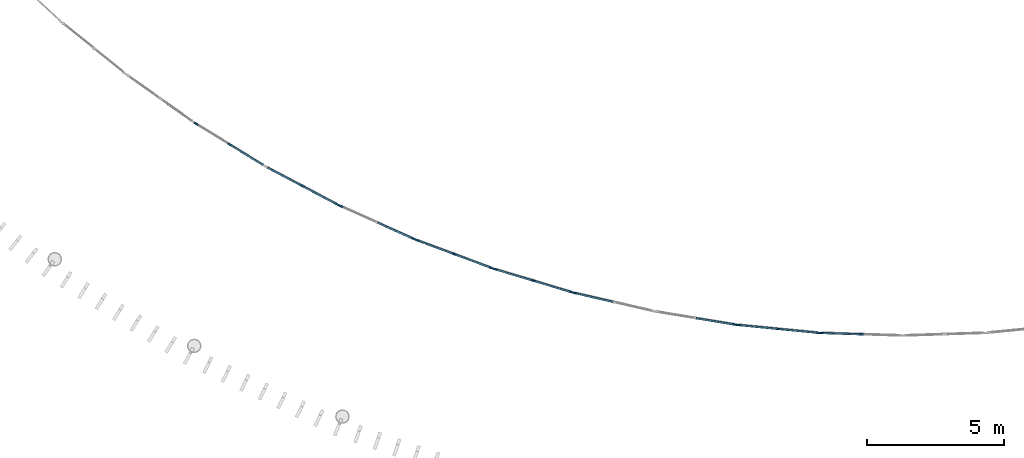
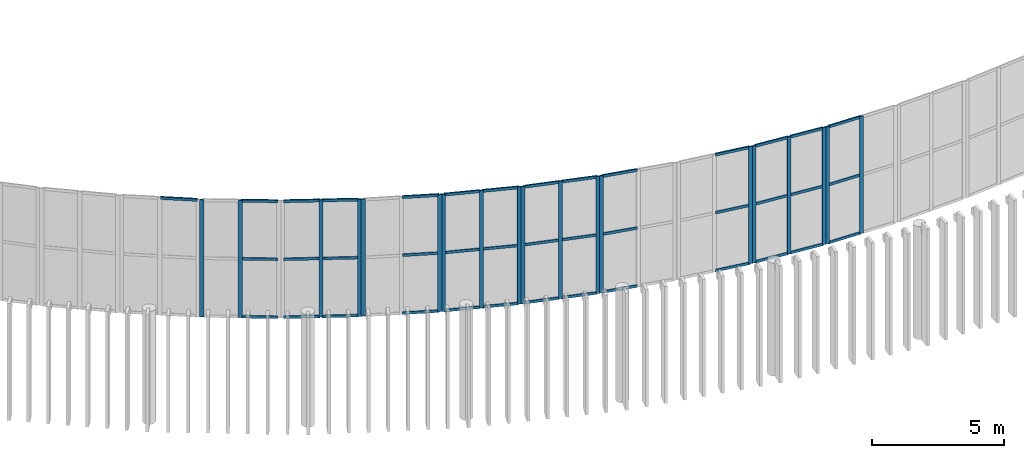
# One storey, part 35 of 170: 59 members, 10 elements without a shape of their own.
"""IFC4 building model written with IfcOpenShell, lengths in metres."""

import ifcopenshell
import ifcopenshell.guid

model = None  # the IFC model being written
_history = None  # IfcOwnerHistory: only IFC2X3 demands one
_inside = {}  # id of a spatial element -> (the spatial element, [elements in it])
_under = {}  # id of a project, library or spatial element -> (it, [spatial elements below it])
_declared = {}  # id of a project -> (the project, [libraries it declares])
_typed = {}  # id of a type object -> (the type object, [elements of that type])
_made_of = {}  # id of a material, layer set ... -> (it, [elements and type objects made of it])


def new_model(schema):
    """Start an empty IFC model of exactly this schema.

    Asked for "IFC4X3", IfcOpenShell would pick the latest addendum, in which some entities
    have other attributes; the version numbers below select the first issue.
    IFC2X3 requires an IfcOwnerHistory on every rooted entity: one is made here for all.
    """
    global model, _history
    if schema == "IFC4X3":
        model = ifcopenshell.file(schema_version=(4, 3, 0, 0))
    else:
        model = ifcopenshell.file(schema=schema)
    _inside.clear()
    _under.clear()
    _declared.clear()
    _typed.clear()
    _made_of.clear()
    _history = None
    if model.schema == "IFC2X3":
        org = make("IfcOrganization", Name="unknown")
        user = make(
            "IfcPersonAndOrganization",
            ThePerson=make("IfcPerson", FamilyName="unknown"),
            TheOrganization=org,
        )
        app = make(
            "IfcApplication",
            ApplicationDeveloper=org,
            Version="unknown",
            ApplicationFullName="unknown",
            ApplicationIdentifier="unknown",
        )
        _history = make(
            "IfcOwnerHistory",
            OwningUser=user,
            OwningApplication=app,
            ChangeAction="ADDED",
            CreationDate=0,
        )
    return model


def make(cls, **values):
    """One entity of the class cls with the attributes given. An attribute that is None is left unset."""
    return model.create_entity(
        cls, **{name: value for name, value in values.items() if value is not None}
    )


def rooted(cls, **values):
    """An entity with a GlobalId (a new one), such as an element, a storey or a relation."""
    return make(cls, GlobalId=ifcopenshell.guid.new(), OwnerHistory=_history, **values)


def si_unit(unit_type, name, prefix=None):
    """IfcSIUnit, for example si_unit("LENGTHUNIT", "METRE", prefix="MILLI")."""
    return make("IfcSIUnit", UnitType=unit_type, Prefix=prefix, Name=name)


def assignment(units):
    """IfcUnitAssignment: the units of a project."""
    return None if units is None else make("IfcUnitAssignment", Units=units)


def point(xyz):
    """IfcCartesianPoint."""
    return None if xyz is None else make("IfcCartesianPoint", Coordinates=xyz)


def direction(xyz):
    """IfcDirection."""
    return None if xyz is None else make("IfcDirection", DirectionRatios=xyz)


def frame(location, z_axis=None, x_axis=None):
    """IfcAxis2Placement3D, a coordinate frame: its origin and axes. An axis left out is left unset."""
    return make(
        "IfcAxis2Placement3D",
        Location=point(location),
        Axis=direction(z_axis),
        RefDirection=direction(x_axis),
    )


def frame_2d(location, x_axis=None):
    """IfcAxis2Placement2D, a coordinate frame in the plane: its origin and x axis."""
    return make(
        "IfcAxis2Placement2D", Location=point(location), RefDirection=direction(x_axis)
    )


def origin():
    """The frame at (0, 0, 0) with its axes left unset."""
    return frame((0.0, 0.0, 0.0))


def origin_2d():
    """The frame at (0, 0) in the plane with its x axis left unset."""
    return frame_2d((0.0, 0.0))


def place(relative_to, where):
    """IfcLocalPlacement: puts the frame where relative to a parent placement (None: the world)."""
    return make(
        "IfcLocalPlacement", PlacementRelTo=relative_to, RelativePlacement=where
    )


def context(
    kind, dimensions, precision=None, world=None, true_north=None, identifier=None
):
    """IfcGeometricRepresentationContext, for example the 3D "Model" context."""
    return make(
        "IfcGeometricRepresentationContext",
        ContextIdentifier=identifier,
        ContextType=kind,
        CoordinateSpaceDimension=dimensions,
        Precision=precision,
        WorldCoordinateSystem=world,
        TrueNorth=true_north,
    )


def subcontext(parent, identifier, kind, view, scale=None):
    """IfcGeometricRepresentationSubContext, for example "Body" below "Model"."""
    return make(
        "IfcGeometricRepresentationSubContext",
        ContextIdentifier=identifier,
        ContextType=kind,
        ParentContext=parent,
        TargetScale=scale,
        TargetView=view,
    )


def project(units=None, contexts=None):
    """IfcProject with its units and contexts."""
    return rooted(
        "IfcProject",
        Name="project",
        RepresentationContexts=contexts,
        UnitsInContext=assignment(units),
    )


def spatial(cls, under=None, at=None, **own):
    """A site, building, storey or space (cls), placed at a placement, below another one or the project."""
    s = rooted(cls, ObjectPlacement=at, **own)
    if under is not None:
        _under.setdefault(under.id(), (under, []))[1].append(s)
    return s


def profile(cls, at=None, kind="AREA", **sizes):
    """A parametric profile (cls). Its sizes go by their IFC names, for example OverallWidth=200.0."""
    return make(cls, ProfileType=kind, Position=at, **sizes)


def rectangle(**sizes):
    """IfcRectangleProfileDef."""
    return profile("IfcRectangleProfileDef", **sizes)


def extrude(swept, where, along, depth):
    """IfcExtrudedAreaSolid: the profile swept, set in the frame where, extruded along a direction by depth."""
    return make(
        "IfcExtrudedAreaSolid",
        SweptArea=swept,
        Position=where,
        ExtrudedDirection=direction(along),
        Depth=depth,
    )


def shape(context_of_items, identifier, shape_type, items):
    """IfcShapeRepresentation: the items that make up one representation, for example the "Body"."""
    return make(
        "IfcShapeRepresentation",
        ContextOfItems=context_of_items,
        RepresentationIdentifier=identifier,
        RepresentationType=shape_type,
        Items=items,
    )


def material(Name=None, Category=None):
    """IfcMaterial."""
    return make("IfcMaterial", Name=Name, Category=Category)


def layer(
    of_material, thickness, ventilated=None, Name=None, Category=None, Priority=None
):
    """IfcMaterialLayer: one layer of a wall or slab, of a material (None: an air gap)."""
    return make(
        "IfcMaterialLayer",
        Material=of_material,
        LayerThickness=thickness,
        IsVentilated=ventilated,
        Name=Name,
        Category=Category,
        Priority=Priority,
    )


def layer_set(layers, Name=None):
    """IfcMaterialLayerSet."""
    return make("IfcMaterialLayerSet", MaterialLayers=layers, LayerSetName=Name)


def material_profile(
    of_material, cross_section, Name=None, Category=None, Priority=None
):
    """IfcMaterialProfile: a cross section and its material."""
    return make(
        "IfcMaterialProfile",
        Name=Name,
        Material=of_material,
        Profile=cross_section,
        Priority=Priority,
        Category=Category,
    )


def profile_set(profiles, Name=None, composite=None):
    """IfcMaterialProfileSet."""
    return make(
        "IfcMaterialProfileSet",
        Name=Name,
        MaterialProfiles=profiles,
        CompositeProfile=composite,
    )


def made_of(thing, what):
    """Note that an element or type object is made of a material, layer set ...; save() writes the relation."""
    if what is not None:
        _made_of.setdefault(what.id(), (what, []))[1].append(thing)
    return thing


def type_object(cls, material=None, **own):
    """A type object (cls), such as IfcWallType, which elements share."""
    return made_of(rooted(cls, **own), material)


def element(
    cls,
    number,
    at=None,
    inside=None,
    cuts=None,
    type_object=None,
    material=None,
    context=None,
    identifier="Body",
    shape_type=None,
    held_by="IfcProductDefinitionShape",
    body=None,
    shapes=None,
    **own,
):
    """One element of the class cls, such as IfcWall. Its Tag is "e" and its number.

    at: its placement. inside: the storey or other place that contains it. cuts: it is an
    opening in that element (IfcRelVoidsElement). A single representation is given by context,
    identifier, shape_type and body (its items); several are given by shapes. held_by: the class
    of the entity that holds the representations. save() writes the other relations.
    """
    e = rooted(cls, Tag="e%d" % number, ObjectPlacement=at, **own)
    if body is not None:
        shapes = [shape(context, identifier, shape_type, body)]
    if shapes is not None:
        e.Representation = make(held_by, Representations=shapes)
    if inside is not None:
        _inside.setdefault(inside.id(), (inside, []))[1].append(e)
    if cuts is not None:
        rooted(
            "IfcRelVoidsElement", RelatingBuildingElement=cuts, RelatedOpeningElement=e
        )
    if type_object is not None:
        _typed.setdefault(type_object.id(), (type_object, []))[1].append(e)
    return made_of(e, material)


def aggregate(whole, parts):
    """IfcRelAggregates: a whole, such as a stair, and the parts it consists of."""
    return rooted("IfcRelAggregates", RelatingObject=whole, RelatedObjects=parts)


def save(model, path):
    """Write the relations noted so far, then the file.

    IfcRelAggregates (storeys below a building ...), IfcRelContainedInSpatialStructure (elements
    in a storey), IfcRelDefinesByType, IfcRelAssociatesMaterial and IfcRelDeclares: one each for
    every whole, place, type object, material and project.
    """
    for whole, parts in _under.values():
        aggregate(whole, parts)
    for where, things in _inside.values():
        rooted(
            "IfcRelContainedInSpatialStructure",
            RelatedElements=things,
            RelatingStructure=where,
        )
    for kind, things in _typed.values():
        rooted("IfcRelDefinesByType", RelatedObjects=things, RelatingType=kind)
    for what, things in _made_of.values():
        rooted("IfcRelAssociatesMaterial", RelatedObjects=things, RelatingMaterial=what)
    for by, libraries in _declared.values():
        rooted("IfcRelDeclares", RelatingContext=by, RelatedDefinitions=libraries)
    model.write(path)


model = new_model("IFC4")

# Units and contexts
model_context = context("Model", 3, precision=1e-05, world=origin(), true_north=direction((0.0, 1.0)))
body_context = subcontext(model_context, "Body", "Model", "MODEL_VIEW")
ifc_project = project(units=[si_unit("LENGTHUNIT", "METRE"), si_unit("AREAUNIT", "SQUARE_METRE"), si_unit("VOLUMEUNIT", "CUBIC_METRE"), si_unit("PLANEANGLEUNIT", "RADIAN"), si_unit("MASSUNIT", "GRAM", prefix="KILO")], contexts=[model_context])

# Site, building, storey
site_placement = place(None, origin())
site = spatial("IfcSite", under=ifc_project, at=site_placement, CompositionType="ELEMENT")
building_placement = place(site_placement, origin())
building = spatial("IfcBuilding", under=site, at=building_placement, Name="Ravi Spectrum Wholesale Market", CompositionType="ELEMENT")
storey_placement = place(building_placement, frame((0.0, 0.0, 5.39990234375)))
storey = spatial("IfcBuildingStorey", under=building, at=storey_placement, Name="L01", CompositionType="ELEMENT", Elevation=5.39990234375)

# Curtain wall, members
ifc_material_1 = material(Name="Aluminium 6063-T6", Category="aluminium")
ifc_layer = layer(ifc_material_1, 0.14990234375)
ifc_layer_set = layer_set([ifc_layer], Name="Aluminium 6063-T6")
curtain_wall_type = type_object("IfcCurtainWallType", Name="Curtain wall 150", PredefinedType="NOTDEFINED", material=ifc_layer_set)
curtain_wall_1_placement = place(storey_placement, origin())
curtain_wall_1 = element("IfcCurtainWall", 1, at=curtain_wall_1_placement, inside=storey, type_object=curtain_wall_type, Name="H1-CW-L01-032", PredefinedType="NOTDEFINED")
ifc_material_2 = material(Name="Aluminium 6063-T6", Category="aluminium")
ifc_material_profile_1 = material_profile(ifc_material_2, rectangle(XDim=0.06005859375, YDim=0.159912109375, at=origin_2d()))
ifc_profile_set_1 = profile_set([ifc_material_profile_1], Name="Aluminium 6063-T6")
member_type_1 = type_object("IfcMemberType", Name="Mullion 60 x 160", PredefinedType="MULLION", material=ifc_profile_set_1)
member_1_placement = place(storey_placement, frame((44.15380859375, 27.024169921875, 0.0), z_axis=(0.0, 0.0, 1.0), x_axis=(0.523840503785, 0.851816369057, 0.0)))
member_1 = element("IfcMember", 2, at=member_1_placement, type_object=member_type_1, Name="H1-CW-L01-032 mullion 1", PredefinedType="MULLION", context=body_context, shape_type="SweptSolid", body=[
    extrude(rectangle(XDim=0.06005859375, YDim=0.159912109375, at=origin_2d()), origin(), (0.0, 0.0, 1.0), 5.400146484375),
])
member_2_placement = place(storey_placement, frame((45.392333984375, 26.262451171875, 0.0), z_axis=(0.0, 0.0, 1.0), x_axis=(0.523840503785, 0.851816369057, 0.0)))
member_2 = element("IfcMember", 3, at=member_2_placement, type_object=member_type_1, Name="H1-CW-L01-032 mullion 2", PredefinedType="MULLION", context=body_context, shape_type="SweptSolid", body=[
    extrude(rectangle(XDim=0.06005859375, YDim=0.159912109375, at=origin_2d()), origin(), (0.0, 0.0, 1.0), 5.400146484375),
])

curtain_wall_2_placement = place(storey_placement, origin())
curtain_wall_2 = element("IfcCurtainWall", 4, at=curtain_wall_2_placement, inside=storey, type_object=curtain_wall_type, Name="H1-CW-L01-033", PredefinedType="NOTDEFINED")
member_3_placement = place(storey_placement, frame((48.037841796875, 24.75146484375, 0.0), z_axis=(0.0, 0.0, 1.0), x_axis=(0.467524450919, 0.883980139931, 0.0)))
member_3 = element("IfcMember", 5, at=member_3_placement, type_object=member_type_1, Name="H1-CW-L01-033 mullion 2", PredefinedType="MULLION", context=body_context, shape_type="SweptSolid", body=[
    extrude(rectangle(XDim=0.06005859375, YDim=0.159912109375, at=origin_2d()), origin(), (0.0, 0.0, 1.0), 5.400146484375),
])
member_4_placement = place(storey_placement, frame((49.3232421875, 24.07177734375, 0.0), z_axis=(0.0, 0.0, 1.0), x_axis=(0.467524450919, 0.883980139931, 0.0)))
member_4 = element("IfcMember", 6, at=member_4_placement, type_object=member_type_1, Name="H1-CW-L01-033 mullion 3", PredefinedType="MULLION", context=body_context, shape_type="SweptSolid", body=[
    extrude(rectangle(XDim=0.06005859375, YDim=0.159912109375, at=origin_2d()), origin(), (0.0, 0.0, 1.0), 5.400146484375),
])

curtain_wall_3_placement = place(storey_placement, origin())
curtain_wall_3 = element("IfcCurtainWall", 7, at=curtain_wall_3_placement, inside=storey, type_object=curtain_wall_type, Name="H1-CW-L01-034", PredefinedType="NOTDEFINED")
member_5_placement = place(storey_placement, frame((49.448974609375, 24.01025390625, 0.0), z_axis=(0.0, 0.0, 1.0), x_axis=(0.409241987534, 0.912425885012, 0.0)))
member_5 = element("IfcMember", 8, at=member_5_placement, type_object=member_type_1, Name="H1-CW-L01-034 mullion 1", PredefinedType="MULLION", context=body_context, shape_type="SweptSolid", body=[
    extrude(rectangle(XDim=0.06005859375, YDim=0.159912109375, at=origin_2d()), origin(), (0.0, 0.0, 1.0), 5.400146484375),
])
member_6_placement = place(storey_placement, frame((52.1025390625, 22.820068359375, 0.0), z_axis=(0.0, 0.0, 1.0), x_axis=(0.409241987534, 0.912425885012, 0.0)))
member_6 = element("IfcMember", 9, at=member_6_placement, type_object=member_type_1, Name="H1-CW-L01-034 mullion 3", PredefinedType="MULLION", context=body_context, shape_type="SweptSolid", body=[
    extrude(rectangle(XDim=0.06005859375, YDim=0.159912109375, at=origin_2d()), origin(), (0.0, 0.0, 1.0), 5.400146484375),
])

curtain_wall_4_placement = place(storey_placement, origin())
curtain_wall_4 = element("IfcCurtainWall", 10, at=curtain_wall_4_placement, inside=storey, type_object=curtain_wall_type, Name="H1-CW-L01-035", PredefinedType="NOTDEFINED")
member_7_placement = place(storey_placement, frame((52.23193359375, 22.76708984375, 0.0), z_axis=(0.0, 0.0, 1.0), x_axis=(0.349238249734, 0.937033961456, 0.0)))
member_7 = element("IfcMember", 11, at=member_7_placement, type_object=member_type_1, Name="H1-CW-L01-035 mullion 1", PredefinedType="MULLION", context=body_context, shape_type="SweptSolid", body=[
    extrude(rectangle(XDim=0.06005859375, YDim=0.159912109375, at=origin_2d()), origin(), (0.0, 0.0, 1.0), 5.400146484375),
])
member_8_placement = place(storey_placement, frame((53.594482421875, 22.25927734375, 0.0), z_axis=(0.0, 0.0, 1.0), x_axis=(0.349238249734, 0.937033961456, 0.0)))
member_8 = element("IfcMember", 12, at=member_8_placement, type_object=member_type_1, Name="H1-CW-L01-035 mullion 2", PredefinedType="MULLION", context=body_context, shape_type="SweptSolid", body=[
    extrude(rectangle(XDim=0.06005859375, YDim=0.159912109375, at=origin_2d()), origin(), (0.0, 0.0, 1.0), 5.400146484375),
])
member_9_placement = place(storey_placement, frame((54.95703125, 21.75146484375, 0.0), z_axis=(0.0, 0.0, 1.0), x_axis=(0.349238249734, 0.937033961456, 0.0)))
member_9 = element("IfcMember", 13, at=member_9_placement, type_object=member_type_1, Name="H1-CW-L01-035 mullion 3", PredefinedType="MULLION", context=body_context, shape_type="SweptSolid", body=[
    extrude(rectangle(XDim=0.06005859375, YDim=0.159912109375, at=origin_2d()), origin(), (0.0, 0.0, 1.0), 5.400146484375),
])

curtain_wall_5_placement = place(storey_placement, origin())
curtain_wall_5 = element("IfcCurtainWall", 14, at=curtain_wall_5_placement, inside=storey, type_object=curtain_wall_type, Name="H1-CW-L01-036", PredefinedType="NOTDEFINED")
member_10_placement = place(storey_placement, frame((55.089599609375, 21.706787109375, 0.0), z_axis=(0.0, 0.0, 1.0), x_axis=(0.287765613735, 0.957700867469, 0.0)))
member_10 = element("IfcMember", 15, at=member_10_placement, type_object=member_type_1, Name="H1-CW-L01-036 mullion 1", PredefinedType="MULLION", context=body_context, shape_type="SweptSolid", body=[
    extrude(rectangle(XDim=0.06005859375, YDim=0.159912109375, at=origin_2d()), origin(), (0.0, 0.0, 1.0), 5.400146484375),
])
member_11_placement = place(storey_placement, frame((56.482177734375, 21.288330078125, 0.0), z_axis=(0.0, 0.0, 1.0), x_axis=(0.287765613735, 0.957700867469, 0.0)))
member_11 = element("IfcMember", 16, at=member_11_placement, type_object=member_type_1, Name="H1-CW-L01-036 mullion 2", PredefinedType="MULLION", context=body_context, shape_type="SweptSolid", body=[
    extrude(rectangle(XDim=0.06005859375, YDim=0.159912109375, at=origin_2d()), origin(), (0.0, 0.0, 1.0), 5.400146484375),
])
member_12_placement = place(storey_placement, frame((57.874755859375, 20.8701171875, 0.0), z_axis=(0.0, 0.0, 1.0), x_axis=(0.287765613735, 0.957700867469, 0.0)))
member_12 = element("IfcMember", 17, at=member_12_placement, type_object=member_type_1, Name="H1-CW-L01-036 mullion 3", PredefinedType="MULLION", context=body_context, shape_type="SweptSolid", body=[
    extrude(rectangle(XDim=0.06005859375, YDim=0.159912109375, at=origin_2d()), origin(), (0.0, 0.0, 1.0), 5.400146484375),
])

# Curtain wall, member
curtain_wall_6_placement = place(storey_placement, origin())
curtain_wall_6 = element("IfcCurtainWall", 18, at=curtain_wall_6_placement, inside=storey, type_object=curtain_wall_type, Name="H1-CW-L01-037", PredefinedType="NOTDEFINED")
member_13_placement = place(storey_placement, frame((58.010009765625, 20.834228515625, 0.0), z_axis=(0.0, 0.0, 1.0), x_axis=(0.225082633827, 0.97433967791, 0.0)))
member_13 = element("IfcMember", 19, at=member_13_placement, type_object=member_type_1, Name="H1-CW-L01-037 mullion 1", PredefinedType="MULLION", context=body_context, shape_type="SweptSolid", body=[
    extrude(rectangle(XDim=0.06005859375, YDim=0.159912109375, at=origin_2d()), origin(), (0.0, 0.0, 1.0), 5.400146484375),
])

curtain_wall_7_placement = place(storey_placement, origin())
curtain_wall_7 = element("IfcCurtainWall", 20, at=curtain_wall_7_placement, inside=storey, type_object=curtain_wall_type, Name="H1-CW-L01-038", PredefinedType="NOTDEFINED")
member_14_placement = place(storey_placement, frame((63.8505859375, 19.682861328125, 0.0), z_axis=(0.0, 0.0, 1.0), x_axis=(0.161452954652, 0.986880409895, 0.0)))
member_14 = element("IfcMember", 21, at=member_14_placement, type_object=member_type_1, Name="H1-CW-L01-038 mullion 3", PredefinedType="MULLION", context=body_context, shape_type="SweptSolid", body=[
    extrude(rectangle(XDim=0.06005859375, YDim=0.159912109375, at=origin_2d()), origin(), (0.0, 0.0, 1.0), 5.400146484375),
])

# Curtain wall, members
curtain_wall_8_placement = place(storey_placement, origin())
curtain_wall_8 = element("IfcCurtainWall", 22, at=curtain_wall_8_placement, inside=storey, type_object=curtain_wall_type, Name="H1-CW-L01-039", PredefinedType="NOTDEFINED")
member_15_placement = place(storey_placement, frame((63.989501953125, 19.664794921875, 0.0), z_axis=(0.0, 0.0, 1.0), x_axis=(0.097144203758, 0.995270316887, 0.0)))
member_15 = element("IfcMember", 23, at=member_15_placement, type_object=member_type_1, Name="H1-CW-L01-039 mullion 1", PredefinedType="MULLION", context=body_context, shape_type="SweptSolid", body=[
    extrude(rectangle(XDim=0.06005859375, YDim=0.159912109375, at=origin_2d()), origin(), (0.0, 0.0, 1.0), 5.400146484375),
])
member_16_placement = place(storey_placement, frame((65.4365234375, 19.523681640625, 0.0), z_axis=(0.0, 0.0, 1.0), x_axis=(0.097144203758, 0.995270316887, 0.0)))
member_16 = element("IfcMember", 24, at=member_16_placement, type_object=member_type_1, Name="H1-CW-L01-039 mullion 2", PredefinedType="MULLION", context=body_context, shape_type="SweptSolid", body=[
    extrude(rectangle(XDim=0.06005859375, YDim=0.159912109375, at=origin_2d()), origin(), (0.0, 0.0, 1.0), 5.400146484375),
])
member_17_placement = place(storey_placement, frame((66.8837890625, 19.38232421875, 0.0), z_axis=(0.0, 0.0, 1.0), x_axis=(0.097144203758, 0.995270316887, 0.0)))
member_17 = element("IfcMember", 25, at=member_17_placement, type_object=member_type_1, Name="H1-CW-L01-039 mullion 3", PredefinedType="MULLION", context=body_context, shape_type="SweptSolid", body=[
    extrude(rectangle(XDim=0.06005859375, YDim=0.159912109375, at=origin_2d()), origin(), (0.0, 0.0, 1.0), 5.400146484375),
])

curtain_wall_9_placement = place(storey_placement, origin())
curtain_wall_9 = element("IfcCurtainWall", 26, at=curtain_wall_9_placement, inside=storey, type_object=curtain_wall_type, Name="H1-CW-L01-040", PredefinedType="NOTDEFINED")
member_18_placement = place(storey_placement, frame((67.0234375, 19.373291015625, 0.0), z_axis=(0.0, 0.0, 1.0), x_axis=(0.032426863955, 0.999474110967, 0.0)))
member_18 = element("IfcMember", 27, at=member_18_placement, type_object=member_type_1, Name="H1-CW-L01-040 mullion 1", PredefinedType="MULLION", context=body_context, shape_type="SweptSolid", body=[
    extrude(rectangle(XDim=0.06005859375, YDim=0.159912109375, at=origin_2d()), origin(), (0.0, 0.0, 1.0), 5.400146484375),
])
member_19_placement = place(storey_placement, frame((68.476806640625, 19.326171875, 0.0), z_axis=(0.0, 0.0, 1.0), x_axis=(0.032426863955, 0.999474110967, 0.0)))
member_19 = element("IfcMember", 28, at=member_19_placement, type_object=member_type_1, Name="H1-CW-L01-040 mullion 2", PredefinedType="MULLION", context=body_context, shape_type="SweptSolid", body=[
    extrude(rectangle(XDim=0.06005859375, YDim=0.159912109375, at=origin_2d()), origin(), (0.0, 0.0, 1.0), 5.400146484375),
])

# Curtain wall, member
curtain_wall_10_placement = place(storey_placement, origin())
curtain_wall_10 = element("IfcCurtainWall", 29, at=curtain_wall_10_placement, inside=storey, type_object=curtain_wall_type, Name="H1-CW-L01-031", PredefinedType="NOTDEFINED")
ifc_material_3 = material(Name="Aluminium 6063-T6", Category="aluminium")
ifc_material_profile_2 = material_profile(ifc_material_3, rectangle(XDim=0.06005859375, YDim=0.1201171875, at=origin_2d()))
ifc_profile_set_2 = profile_set([ifc_material_profile_2], Name="Aluminium 6063-T6")
member_type_2 = type_object("IfcMemberType", Name="Transom 60 x 120", PredefinedType="USERDEFINED", material=ifc_profile_set_2)
member_20_placement = place(storey_placement, frame((42.875, 27.92431640625, 5.3701171875), z_axis=(0.816093311487, -0.577920156203, 0.0), x_axis=(0.577920156203, 0.816093311487, 0.0)))
member_20 = element("IfcMember", 30, at=member_20_placement, type_object=member_type_2, Name="H1-CW-L01-031 transom 2.3", ObjectType="TRANSOM", PredefinedType="USERDEFINED", context=body_context, shape_type="SweptSolid", body=[
    extrude(rectangle(XDim=0.06005859375, YDim=0.1201171875, at=origin_2d()), origin(), (0.0, 0.0, 1.0), 1.39404296875),
])
aggregate(curtain_wall_10, [member_20])

# Member
member_21_placement = place(storey_placement, frame((45.41796875, 26.24658203125, 0.030029296875), z_axis=(0.851832648, -0.523814031696, 0.0), x_axis=(0.523814031696, 0.851832648, 0.0)))
member_21 = element("IfcMember", 31, at=member_21_placement, type_object=member_type_2, Name="H1-CW-L01-032 transom 2.1", ObjectType="TRANSOM", PredefinedType="USERDEFINED", context=body_context, shape_type="SweptSolid", body=[
    extrude(rectangle(XDim=0.06005859375, YDim=0.1201171875, at=origin_2d()), origin(), (0.0, 0.0, 1.0), 1.39404296875),
])

member_22_placement = place(storey_placement, frame((45.41796875, 26.24658203125, 2.7001953125), z_axis=(0.851832648, -0.523814031696, 0.0), x_axis=(0.523814031696, 0.851832648, 0.0)))
member_22 = element("IfcMember", 32, at=member_22_placement, type_object=member_type_2, Name="H1-CW-L01-032 transom 2.2", ObjectType="TRANSOM", PredefinedType="USERDEFINED", context=body_context, shape_type="SweptSolid", body=[
    extrude(rectangle(XDim=0.06005859375, YDim=0.1201171875, at=origin_2d()), origin(), (0.0, 0.0, 1.0), 1.39404296875),
])

member_23_placement = place(storey_placement, frame((45.41796875, 26.24658203125, 5.3701171875), z_axis=(0.851832648, -0.523814031696, 0.0), x_axis=(0.523814031696, 0.851832648, 0.0)))
member_23 = element("IfcMember", 33, at=member_23_placement, type_object=member_type_2, Name="H1-CW-L01-032 transom 2.3", ObjectType="TRANSOM", PredefinedType="USERDEFINED", context=body_context, shape_type="SweptSolid", body=[
    extrude(rectangle(XDim=0.06005859375, YDim=0.1201171875, at=origin_2d()), origin(), (0.0, 0.0, 1.0), 1.39404296875),
])

aggregate(curtain_wall_1, [member_1, member_2, member_21, member_22, member_23])

member_24_placement = place(storey_placement, frame((46.779052734375, 25.417236328125, 0.030029296875), z_axis=(0.884039119192, -0.467412917813, 0.0), x_axis=(0.467412917813, 0.884039119192, 0.0)))
member_24 = element("IfcMember", 34, at=member_24_placement, type_object=member_type_2, Name="H1-CW-L01-033 transom 1.1", ObjectType="TRANSOM", PredefinedType="USERDEFINED", context=body_context, shape_type="SweptSolid", body=[
    extrude(rectangle(XDim=0.06005859375, YDim=0.1201171875, at=origin_2d()), origin(), (0.0, 0.0, 1.0), 1.39404296875),
])

member_25_placement = place(storey_placement, frame((46.779052734375, 25.417236328125, 2.7001953125), z_axis=(0.884039119192, -0.467412917813, 0.0), x_axis=(0.467412917813, 0.884039119192, 0.0)))
member_25 = element("IfcMember", 35, at=member_25_placement, type_object=member_type_2, Name="H1-CW-L01-033 transom 1.2", ObjectType="TRANSOM", PredefinedType="USERDEFINED", context=body_context, shape_type="SweptSolid", body=[
    extrude(rectangle(XDim=0.06005859375, YDim=0.1201171875, at=origin_2d()), origin(), (0.0, 0.0, 1.0), 1.39404296875),
])

member_26_placement = place(storey_placement, frame((46.779052734375, 25.417236328125, 5.3701171875), z_axis=(0.884039119192, -0.467412917813, 0.0), x_axis=(0.467412917813, 0.884039119192, 0.0)))
member_26 = element("IfcMember", 36, at=member_26_placement, type_object=member_type_2, Name="H1-CW-L01-033 transom 1.3", ObjectType="TRANSOM", PredefinedType="USERDEFINED", context=body_context, shape_type="SweptSolid", body=[
    extrude(rectangle(XDim=0.06005859375, YDim=0.1201171875, at=origin_2d()), origin(), (0.0, 0.0, 1.0), 1.39404296875),
])

member_27_placement = place(storey_placement, frame((48.064453125, 24.737548828125, 0.030029296875), z_axis=(0.883928461308, -0.467622150127, 0.0), x_axis=(0.467622150127, 0.883928461308, 0.0)))
member_27 = element("IfcMember", 37, at=member_27_placement, type_object=member_type_2, Name="H1-CW-L01-033 transom 2.1", ObjectType="TRANSOM", PredefinedType="USERDEFINED", context=body_context, shape_type="SweptSolid", body=[
    extrude(rectangle(XDim=0.06005859375, YDim=0.1201171875, at=origin_2d()), origin(), (0.0, 0.0, 1.0), 1.39404296875),
])

member_28_placement = place(storey_placement, frame((48.064453125, 24.737548828125, 2.7001953125), z_axis=(0.883928461308, -0.467622150127, 0.0), x_axis=(0.467622150127, 0.883928461308, 0.0)))
member_28 = element("IfcMember", 38, at=member_28_placement, type_object=member_type_2, Name="H1-CW-L01-033 transom 2.2", ObjectType="TRANSOM", PredefinedType="USERDEFINED", context=body_context, shape_type="SweptSolid", body=[
    extrude(rectangle(XDim=0.06005859375, YDim=0.1201171875, at=origin_2d()), origin(), (0.0, 0.0, 1.0), 1.39404296875),
])

member_29_placement = place(storey_placement, frame((48.064453125, 24.737548828125, 5.3701171875), z_axis=(0.883928461308, -0.467622150127, 0.0), x_axis=(0.467622150127, 0.883928461308, 0.0)))
member_29 = element("IfcMember", 39, at=member_29_placement, type_object=member_type_2, Name="H1-CW-L01-033 transom 2.3", ObjectType="TRANSOM", PredefinedType="USERDEFINED", context=body_context, shape_type="SweptSolid", body=[
    extrude(rectangle(XDim=0.06005859375, YDim=0.1201171875, at=origin_2d()), origin(), (0.0, 0.0, 1.0), 1.39404296875),
])

aggregate(curtain_wall_2, [member_3, member_4, member_24, member_25, member_26, member_27, member_28, member_29])

member_30_placement = place(storey_placement, frame((50.80322265625, 23.403076171875, 0.030029296875), z_axis=(0.912412372098, -0.409272113933, 0.0), x_axis=(0.409272113933, 0.912412372098, 0.0)))
member_30 = element("IfcMember", 40, at=member_30_placement, type_object=member_type_2, Name="H1-CW-L01-034 transom 2.1", ObjectType="TRANSOM", PredefinedType="USERDEFINED", context=body_context, shape_type="SweptSolid", body=[
    extrude(rectangle(XDim=0.06005859375, YDim=0.1201171875, at=origin_2d()), origin(), (0.0, 0.0, 1.0), 1.39404296875),
])

member_31_placement = place(storey_placement, frame((50.80322265625, 23.403076171875, 2.7001953125), z_axis=(0.912412372098, -0.409272113933, 0.0), x_axis=(0.409272113933, 0.912412372098, 0.0)))
member_31 = element("IfcMember", 41, at=member_31_placement, type_object=member_type_2, Name="H1-CW-L01-034 transom 2.2", ObjectType="TRANSOM", PredefinedType="USERDEFINED", context=body_context, shape_type="SweptSolid", body=[
    extrude(rectangle(XDim=0.06005859375, YDim=0.1201171875, at=origin_2d()), origin(), (0.0, 0.0, 1.0), 1.39404296875),
])

member_32_placement = place(storey_placement, frame((50.80322265625, 23.403076171875, 5.3701171875), z_axis=(0.912412372098, -0.409272113933, 0.0), x_axis=(0.409272113933, 0.912412372098, 0.0)))
member_32 = element("IfcMember", 42, at=member_32_placement, type_object=member_type_2, Name="H1-CW-L01-034 transom 2.3", ObjectType="TRANSOM", PredefinedType="USERDEFINED", context=body_context, shape_type="SweptSolid", body=[
    extrude(rectangle(XDim=0.06005859375, YDim=0.1201171875, at=origin_2d()), origin(), (0.0, 0.0, 1.0), 1.39404296875),
])

aggregate(curtain_wall_3, [member_5, member_6, member_30, member_31, member_32])

member_33_placement = place(storey_placement, frame((52.260009765625, 22.756591796875, 0.030029296875), z_axis=(0.937054029141, -0.349184401814, 0.0), x_axis=(0.349184401814, 0.937054029141, 0.0)))
member_33 = element("IfcMember", 43, at=member_33_placement, type_object=member_type_2, Name="H1-CW-L01-035 transom 1.1", ObjectType="TRANSOM", PredefinedType="USERDEFINED", context=body_context, shape_type="SweptSolid", body=[
    extrude(rectangle(XDim=0.06005859375, YDim=0.1201171875, at=origin_2d()), origin(), (0.0, 0.0, 1.0), 1.39404296875),
])

member_34_placement = place(storey_placement, frame((52.260009765625, 22.756591796875, 2.7001953125), z_axis=(0.937054029141, -0.349184401814, 0.0), x_axis=(0.349184401814, 0.937054029141, 0.0)))
member_34 = element("IfcMember", 44, at=member_34_placement, type_object=member_type_2, Name="H1-CW-L01-035 transom 1.2", ObjectType="TRANSOM", PredefinedType="USERDEFINED", context=body_context, shape_type="SweptSolid", body=[
    extrude(rectangle(XDim=0.06005859375, YDim=0.1201171875, at=origin_2d()), origin(), (0.0, 0.0, 1.0), 1.39404296875),
])

member_35_placement = place(storey_placement, frame((52.260009765625, 22.756591796875, 5.3701171875), z_axis=(0.937054029141, -0.349184401814, 0.0), x_axis=(0.349184401814, 0.937054029141, 0.0)))
member_35 = element("IfcMember", 45, at=member_35_placement, type_object=member_type_2, Name="H1-CW-L01-035 transom 1.3", ObjectType="TRANSOM", PredefinedType="USERDEFINED", context=body_context, shape_type="SweptSolid", body=[
    extrude(rectangle(XDim=0.06005859375, YDim=0.1201171875, at=origin_2d()), origin(), (0.0, 0.0, 1.0), 1.39404296875),
])

member_36_placement = place(storey_placement, frame((53.62255859375, 22.248779296875, 0.030029296875), z_axis=(0.937032671846, -0.349241709843, 0.0), x_axis=(0.349241709843, 0.937032671846, 0.0)))
member_36 = element("IfcMember", 46, at=member_36_placement, type_object=member_type_2, Name="H1-CW-L01-035 transom 2.1", ObjectType="TRANSOM", PredefinedType="USERDEFINED", context=body_context, shape_type="SweptSolid", body=[
    extrude(rectangle(XDim=0.06005859375, YDim=0.1201171875, at=origin_2d()), origin(), (0.0, 0.0, 1.0), 1.39404296875),
])

member_37_placement = place(storey_placement, frame((53.62255859375, 22.248779296875, 2.7001953125), z_axis=(0.937032671846, -0.349241709843, 0.0), x_axis=(0.349241709843, 0.937032671846, 0.0)))
member_37 = element("IfcMember", 47, at=member_37_placement, type_object=member_type_2, Name="H1-CW-L01-035 transom 2.2", ObjectType="TRANSOM", PredefinedType="USERDEFINED", context=body_context, shape_type="SweptSolid", body=[
    extrude(rectangle(XDim=0.06005859375, YDim=0.1201171875, at=origin_2d()), origin(), (0.0, 0.0, 1.0), 1.39404296875),
])

member_38_placement = place(storey_placement, frame((53.62255859375, 22.248779296875, 5.3701171875), z_axis=(0.937032671846, -0.349241709843, 0.0), x_axis=(0.349241709843, 0.937032671846, 0.0)))
member_38 = element("IfcMember", 48, at=member_38_placement, type_object=member_type_2, Name="H1-CW-L01-035 transom 2.3", ObjectType="TRANSOM", PredefinedType="USERDEFINED", context=body_context, shape_type="SweptSolid", body=[
    extrude(rectangle(XDim=0.06005859375, YDim=0.1201171875, at=origin_2d()), origin(), (0.0, 0.0, 1.0), 1.39404296875),
])

aggregate(curtain_wall_4, [member_7, member_8, member_9, member_33, member_34, member_35, member_36, member_37, member_38])

member_39_placement = place(storey_placement, frame((55.118408203125, 21.6982421875, 0.030029296875), z_axis=(0.957700859942, -0.287765638787, 0.0), x_axis=(0.287765638787, 0.957700859942, 0.0)))
member_39 = element("IfcMember", 49, at=member_39_placement, type_object=member_type_2, Name="H1-CW-L01-036 transom 1.1", ObjectType="TRANSOM", PredefinedType="USERDEFINED", context=body_context, shape_type="SweptSolid", body=[
    extrude(rectangle(XDim=0.06005859375, YDim=0.1201171875, at=origin_2d()), origin(), (0.0, 0.0, 1.0), 1.39404296875),
])

member_40_placement = place(storey_placement, frame((55.118408203125, 21.6982421875, 2.7001953125), z_axis=(0.957700859942, -0.287765638787, 0.0), x_axis=(0.287765638787, 0.957700859942, 0.0)))
member_40 = element("IfcMember", 50, at=member_40_placement, type_object=member_type_2, Name="H1-CW-L01-036 transom 1.2", ObjectType="TRANSOM", PredefinedType="USERDEFINED", context=body_context, shape_type="SweptSolid", body=[
    extrude(rectangle(XDim=0.06005859375, YDim=0.1201171875, at=origin_2d()), origin(), (0.0, 0.0, 1.0), 1.39404296875),
])

member_41_placement = place(storey_placement, frame((55.118408203125, 21.6982421875, 5.3701171875), z_axis=(0.957700859942, -0.287765638787, 0.0), x_axis=(0.287765638787, 0.957700859942, 0.0)))
member_41 = element("IfcMember", 51, at=member_41_placement, type_object=member_type_2, Name="H1-CW-L01-036 transom 1.3", ObjectType="TRANSOM", PredefinedType="USERDEFINED", context=body_context, shape_type="SweptSolid", body=[
    extrude(rectangle(XDim=0.06005859375, YDim=0.1201171875, at=origin_2d()), origin(), (0.0, 0.0, 1.0), 1.39404296875),
])

member_42_placement = place(storey_placement, frame((56.5107421875, 21.27978515625, 0.030029296875), z_axis=(0.957715360008, -0.287717377307, 0.0), x_axis=(0.287717377307, 0.957715360008, 0.0)))
member_42 = element("IfcMember", 52, at=member_42_placement, type_object=member_type_2, Name="H1-CW-L01-036 transom 2.1", ObjectType="TRANSOM", PredefinedType="USERDEFINED", context=body_context, shape_type="SweptSolid", body=[
    extrude(rectangle(XDim=0.06005859375, YDim=0.1201171875, at=origin_2d()), origin(), (0.0, 0.0, 1.0), 1.39404296875),
])

member_43_placement = place(storey_placement, frame((56.5107421875, 21.27978515625, 2.7001953125), z_axis=(0.957715360008, -0.287717377307, 0.0), x_axis=(0.287717377307, 0.957715360008, 0.0)))
member_43 = element("IfcMember", 53, at=member_43_placement, type_object=member_type_2, Name="H1-CW-L01-036 transom 2.2", ObjectType="TRANSOM", PredefinedType="USERDEFINED", context=body_context, shape_type="SweptSolid", body=[
    extrude(rectangle(XDim=0.06005859375, YDim=0.1201171875, at=origin_2d()), origin(), (0.0, 0.0, 1.0), 1.39404296875),
])

member_44_placement = place(storey_placement, frame((56.5107421875, 21.27978515625, 5.3701171875), z_axis=(0.957715360008, -0.287717377307, 0.0), x_axis=(0.287717377307, 0.957715360008, 0.0)))
member_44 = element("IfcMember", 54, at=member_44_placement, type_object=member_type_2, Name="H1-CW-L01-036 transom 2.3", ObjectType="TRANSOM", PredefinedType="USERDEFINED", context=body_context, shape_type="SweptSolid", body=[
    extrude(rectangle(XDim=0.06005859375, YDim=0.1201171875, at=origin_2d()), origin(), (0.0, 0.0, 1.0), 1.39404296875),
])

aggregate(curtain_wall_5, [member_10, member_11, member_12, member_39, member_40, member_41, member_42, member_43, member_44])

member_45_placement = place(storey_placement, frame((58.0390625, 20.827392578125, 0.030029296875), z_axis=(0.974352813106, -0.225025766506, 0.0), x_axis=(0.225025766506, 0.974352813106, 0.0)))
member_45 = element("IfcMember", 55, at=member_45_placement, type_object=member_type_2, Name="H1-CW-L01-037 transom 1.1", ObjectType="TRANSOM", PredefinedType="USERDEFINED", context=body_context, shape_type="SweptSolid", body=[
    extrude(rectangle(XDim=0.06005859375, YDim=0.1201171875, at=origin_2d()), origin(), (0.0, 0.0, 1.0), 1.39404296875),
])

member_46_placement = place(storey_placement, frame((58.0390625, 20.827392578125, 2.7001953125), z_axis=(0.974352813106, -0.225025766506, 0.0), x_axis=(0.225025766506, 0.974352813106, 0.0)))
member_46 = element("IfcMember", 56, at=member_46_placement, type_object=member_type_2, Name="H1-CW-L01-037 transom 1.2", ObjectType="TRANSOM", PredefinedType="USERDEFINED", context=body_context, shape_type="SweptSolid", body=[
    extrude(rectangle(XDim=0.06005859375, YDim=0.1201171875, at=origin_2d()), origin(), (0.0, 0.0, 1.0), 1.39404296875),
])

member_47_placement = place(storey_placement, frame((58.0390625, 20.827392578125, 5.3701171875), z_axis=(0.974352813106, -0.225025766506, 0.0), x_axis=(0.225025766506, 0.974352813106, 0.0)))
member_47 = element("IfcMember", 57, at=member_47_placement, type_object=member_type_2, Name="H1-CW-L01-037 transom 1.3", ObjectType="TRANSOM", PredefinedType="USERDEFINED", context=body_context, shape_type="SweptSolid", body=[
    extrude(rectangle(XDim=0.06005859375, YDim=0.1201171875, at=origin_2d()), origin(), (0.0, 0.0, 1.0), 1.39404296875),
])

aggregate(curtain_wall_6, [member_13, member_45, member_46, member_47])

member_48_placement = place(storey_placement, frame((62.4453125, 19.912841796875, 0.030029296875), z_axis=(0.986877120125, -0.161473062068, 0.0), x_axis=(0.161473062068, 0.986877120125, 0.0)))
member_48 = element("IfcMember", 58, at=member_48_placement, type_object=member_type_2, Name="H1-CW-L01-038 transom 2.1", ObjectType="TRANSOM", PredefinedType="USERDEFINED", context=body_context, shape_type="SweptSolid", body=[
    extrude(rectangle(XDim=0.06005859375, YDim=0.1201171875, at=origin_2d()), origin(), (0.0, 0.0, 1.0), 1.39404296875),
])

member_49_placement = place(storey_placement, frame((62.4453125, 19.912841796875, 2.7001953125), z_axis=(0.986877120125, -0.161473062068, 0.0), x_axis=(0.161473062068, 0.986877120125, 0.0)))
member_49 = element("IfcMember", 59, at=member_49_placement, type_object=member_type_2, Name="H1-CW-L01-038 transom 2.2", ObjectType="TRANSOM", PredefinedType="USERDEFINED", context=body_context, shape_type="SweptSolid", body=[
    extrude(rectangle(XDim=0.06005859375, YDim=0.1201171875, at=origin_2d()), origin(), (0.0, 0.0, 1.0), 1.39404296875),
])

member_50_placement = place(storey_placement, frame((62.4453125, 19.912841796875, 5.3701171875), z_axis=(0.986877120125, -0.161473062068, 0.0), x_axis=(0.161473062068, 0.986877120125, 0.0)))
member_50 = element("IfcMember", 60, at=member_50_placement, type_object=member_type_2, Name="H1-CW-L01-038 transom 2.3", ObjectType="TRANSOM", PredefinedType="USERDEFINED", context=body_context, shape_type="SweptSolid", body=[
    extrude(rectangle(XDim=0.06005859375, YDim=0.1201171875, at=origin_2d()), origin(), (0.0, 0.0, 1.0), 1.39404296875),
])

aggregate(curtain_wall_7, [member_14, member_48, member_49, member_50])

member_51_placement = place(storey_placement, frame((64.019287109375, 19.661865234375, 0.030029296875), z_axis=(0.995282061531, -0.097023801177, 0.0), x_axis=(0.097023801177, 0.995282061531, 0.0)))
member_51 = element("IfcMember", 61, at=member_51_placement, type_object=member_type_2, Name="H1-CW-L01-039 transom 1.1", ObjectType="TRANSOM", PredefinedType="USERDEFINED", context=body_context, shape_type="SweptSolid", body=[
    extrude(rectangle(XDim=0.06005859375, YDim=0.1201171875, at=origin_2d()), origin(), (0.0, 0.0, 1.0), 1.39404296875),
])

member_52_placement = place(storey_placement, frame((64.019287109375, 19.661865234375, 2.7001953125), z_axis=(0.995282061531, -0.097023801177, 0.0), x_axis=(0.097023801177, 0.995282061531, 0.0)))
member_52 = element("IfcMember", 62, at=member_52_placement, type_object=member_type_2, Name="H1-CW-L01-039 transom 1.2", ObjectType="TRANSOM", PredefinedType="USERDEFINED", context=body_context, shape_type="SweptSolid", body=[
    extrude(rectangle(XDim=0.06005859375, YDim=0.1201171875, at=origin_2d()), origin(), (0.0, 0.0, 1.0), 1.39404296875),
])

member_53_placement = place(storey_placement, frame((64.019287109375, 19.661865234375, 5.3701171875), z_axis=(0.995282061531, -0.097023801177, 0.0), x_axis=(0.097023801177, 0.995282061531, 0.0)))
member_53 = element("IfcMember", 63, at=member_53_placement, type_object=member_type_2, Name="H1-CW-L01-039 transom 1.3", ObjectType="TRANSOM", PredefinedType="USERDEFINED", context=body_context, shape_type="SweptSolid", body=[
    extrude(rectangle(XDim=0.06005859375, YDim=0.1201171875, at=origin_2d()), origin(), (0.0, 0.0, 1.0), 1.39404296875),
])

member_54_placement = place(storey_placement, frame((65.466552734375, 19.520751953125, 0.030029296875), z_axis=(0.995265134777, -0.09719728133, 0.0), x_axis=(0.09719728133, 0.995265134777, 0.0)))
member_54 = element("IfcMember", 64, at=member_54_placement, type_object=member_type_2, Name="H1-CW-L01-039 transom 2.1", ObjectType="TRANSOM", PredefinedType="USERDEFINED", context=body_context, shape_type="SweptSolid", body=[
    extrude(rectangle(XDim=0.06005859375, YDim=0.1201171875, at=origin_2d()), origin(), (0.0, 0.0, 1.0), 1.39404296875),
])

member_55_placement = place(storey_placement, frame((65.466552734375, 19.520751953125, 2.7001953125), z_axis=(0.995265134777, -0.09719728133, 0.0), x_axis=(0.09719728133, 0.995265134777, 0.0)))
member_55 = element("IfcMember", 65, at=member_55_placement, type_object=member_type_2, Name="H1-CW-L01-039 transom 2.2", ObjectType="TRANSOM", PredefinedType="USERDEFINED", context=body_context, shape_type="SweptSolid", body=[
    extrude(rectangle(XDim=0.06005859375, YDim=0.1201171875, at=origin_2d()), origin(), (0.0, 0.0, 1.0), 1.39404296875),
])

member_56_placement = place(storey_placement, frame((65.466552734375, 19.520751953125, 5.3701171875), z_axis=(0.995265134777, -0.09719728133, 0.0), x_axis=(0.09719728133, 0.995265134777, 0.0)))
member_56 = element("IfcMember", 66, at=member_56_placement, type_object=member_type_2, Name="H1-CW-L01-039 transom 2.3", ObjectType="TRANSOM", PredefinedType="USERDEFINED", context=body_context, shape_type="SweptSolid", body=[
    extrude(rectangle(XDim=0.06005859375, YDim=0.1201171875, at=origin_2d()), origin(), (0.0, 0.0, 1.0), 1.39404296875),
])

aggregate(curtain_wall_8, [member_15, member_16, member_17, member_51, member_52, member_53, member_54, member_55, member_56])

member_57_placement = place(storey_placement, frame((67.053466796875, 19.372314453125, 0.030029296875), z_axis=(0.999475004468, -0.032399312393, 0.0), x_axis=(0.032399312393, 0.999475004468, 0.0)))
member_57 = element("IfcMember", 67, at=member_57_placement, type_object=member_type_2, Name="H1-CW-L01-040 transom 1.1", ObjectType="TRANSOM", PredefinedType="USERDEFINED", context=body_context, shape_type="SweptSolid", body=[
    extrude(rectangle(XDim=0.06005859375, YDim=0.1201171875, at=origin_2d()), origin(), (0.0, 0.0, 1.0), 1.39404296875),
])

member_58_placement = place(storey_placement, frame((67.053466796875, 19.372314453125, 2.7001953125), z_axis=(0.999475004468, -0.032399312393, 0.0), x_axis=(0.032399312393, 0.999475004468, 0.0)))
member_58 = element("IfcMember", 68, at=member_58_placement, type_object=member_type_2, Name="H1-CW-L01-040 transom 1.2", ObjectType="TRANSOM", PredefinedType="USERDEFINED", context=body_context, shape_type="SweptSolid", body=[
    extrude(rectangle(XDim=0.06005859375, YDim=0.1201171875, at=origin_2d()), origin(), (0.0, 0.0, 1.0), 1.39404296875),
])

member_59_placement = place(storey_placement, frame((67.053466796875, 19.372314453125, 5.3701171875), z_axis=(0.999475004468, -0.032399312393, 0.0), x_axis=(0.032399312393, 0.999475004468, 0.0)))
member_59 = element("IfcMember", 69, at=member_59_placement, type_object=member_type_2, Name="H1-CW-L01-040 transom 1.3", ObjectType="TRANSOM", PredefinedType="USERDEFINED", context=body_context, shape_type="SweptSolid", body=[
    extrude(rectangle(XDim=0.06005859375, YDim=0.1201171875, at=origin_2d()), origin(), (0.0, 0.0, 1.0), 1.39404296875),
])

aggregate(curtain_wall_9, [member_18, member_19, member_57, member_58, member_59])

save(model, "model.ifc")
